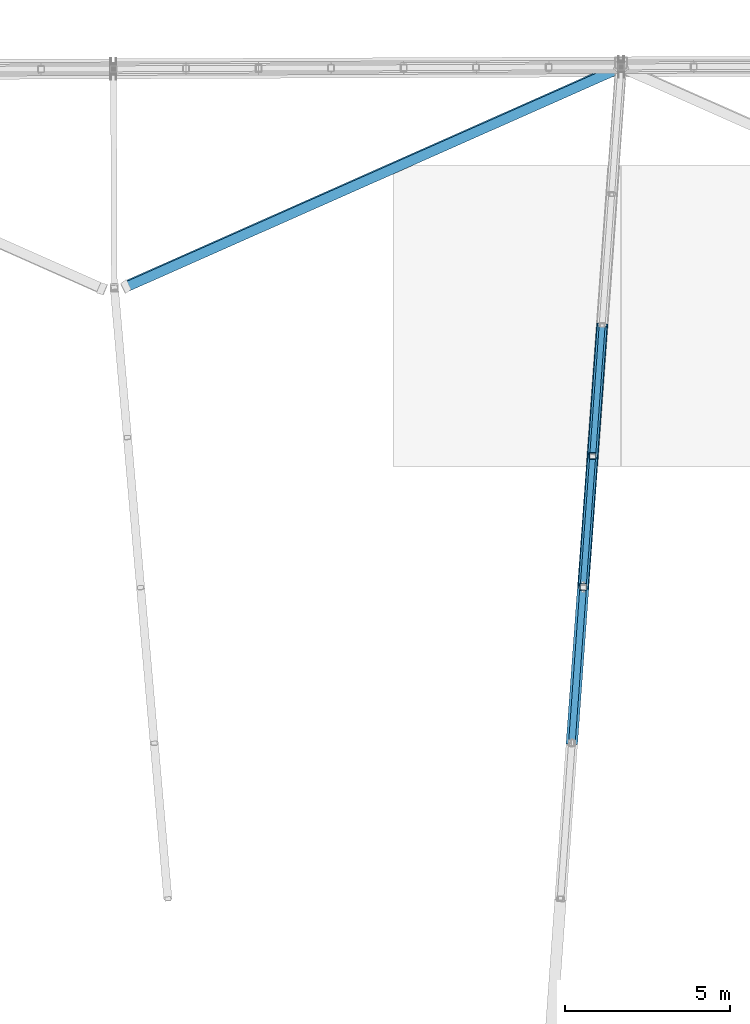
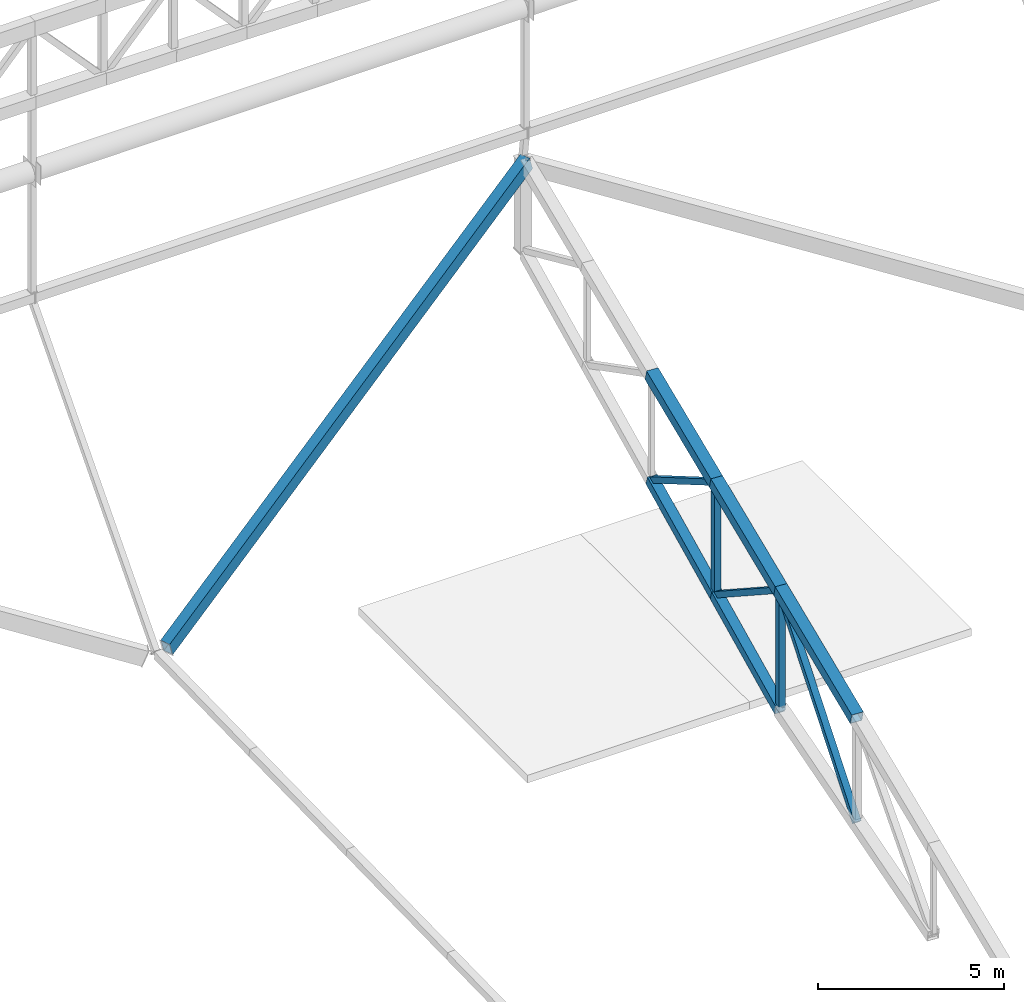
# One storey, part 86 of 188: 10 members, 1 beam.
"""IFC4 building model written with IfcOpenShell, lengths in metres."""

from ifc_helpers import new_model, si_unit, direction, frame, origin, origin_2d, place, context, subcontext, project, spatial, hollow_rectangle, extrude, material, material_profile, profile_set, type_object, element, save


model = new_model("IFC4")

# Units and contexts
model_context = context("Model", 3, precision=1e-05, world=origin(), true_north=direction((0.0, 1.0)))
body_context = subcontext(model_context, "Body", "Model", "MODEL_VIEW")
ifc_project = project(units=[si_unit("LENGTHUNIT", "METRE"), si_unit("AREAUNIT", "SQUARE_METRE"), si_unit("VOLUMEUNIT", "CUBIC_METRE"), si_unit("PLANEANGLEUNIT", "RADIAN"), si_unit("MASSUNIT", "GRAM", prefix="KILO")], contexts=[model_context])

# Site, building, storey
site_placement = place(None, origin())
site = spatial("IfcSite", under=ifc_project, at=site_placement, CompositionType="ELEMENT")
building_placement = place(site_placement, origin())
building = spatial("IfcBuilding", under=site, at=building_placement, Name="Meseta Stadium", CompositionType="ELEMENT")
storey_placement = place(building_placement, frame((0.0, 0.0, 30.0)))
storey = spatial("IfcBuildingStorey", under=building, at=storey_placement, Name="ROOF", CompositionType="ELEMENT", Elevation=30.0)

# Beam
ifc_material_1 = material(Name="Steel S355", Category="steel")
ifc_material_profile_1 = material_profile(ifc_material_1, hollow_rectangle(XDim=0.300048828125, YDim=0.5, WallThickness=0.01611328125, at=origin_2d()), Name="RHS 500x300x16")
ifc_profile_set_1 = profile_set([ifc_material_profile_1], Name="Steel S355")
beam_type = type_object("IfcBeamType", Name="RHS 500x300x16 rim ring beam", PredefinedType="BEAM", material=ifc_profile_set_1)
beam_placement = place(storey_placement, frame((7.72900390625, 105.309326171875, 10.404296875), z_axis=(-0.847168236299, -0.375703326713, -0.375703326713), x_axis=(0.430046764316, -0.900120893881, -0.069585608424)))
element("IfcBeam", 1, at=beam_placement, inside=storey, type_object=beam_type, Name="RIM RING BEAM 19", PredefinedType="BEAM", context=body_context, shape_type="SweptSolid", body=[
    extrude(hollow_rectangle(XDim=0.300048828125, YDim=0.5, WallThickness=0.01611328125, at=origin_2d()), origin(), (0.0, 0.0, 1.0), 17.75439453125),
])

# Members
ifc_material_2 = material(Name="Steel S355", Category="steel")
ifc_material_profile_2 = material_profile(ifc_material_2, hollow_rectangle(XDim=0.179931640625, YDim=0.179931640625, WallThickness=0.00634765625, at=origin_2d()), Name="SHS 180x180x6.3")
ifc_profile_set_2 = profile_set([ifc_material_profile_2], Name="Steel S355")
member_type_1 = type_object("IfcMemberType", Name="SHS 180x180x6.3 diagonal", PredefinedType="BRACE", material=ifc_profile_set_2)
member_1_placement = place(storey_placement, frame((6.51708984375, 89.54638671875, 6.314697265625), z_axis=(0.06008743732, 0.82876759342, -0.556357597209), x_axis=(-0.997382035302, 0.072312347884, 0.0)))
element("IfcMember", 2, at=member_1_placement, inside=storey, type_object=member_type_1, Name="ROOF TRUSS RT-18 diagonal", PredefinedType="BRACE", context=body_context, shape_type="SweptSolid", body=[
    extrude(hollow_rectangle(XDim=0.179931640625, YDim=0.179931640625, WallThickness=0.00634765625, at=origin_2d()), origin(), (0.0, 0.0, 1.0), 4.7822265625),
])
member_2_placement = place(storey_placement, frame((6.804443359375, 93.509765625, 7.357666015625), z_axis=(0.061717685517, 0.851253106785, -0.521113303883), x_axis=(-0.997382035302, 0.072312347884, 0.0)))
element("IfcMember", 3, at=member_2_placement, inside=storey, type_object=member_type_1, Name="ROOF TRUSS RT-18 diagonal", PredefinedType="BRACE", context=body_context, shape_type="SweptSolid", body=[
    extrude(hollow_rectangle(XDim=0.179931640625, YDim=0.179931640625, WallThickness=0.00634765625, at=origin_2d()), origin(), (0.0, 0.0, 1.0), 4.656005859375),
])
ifc_material_3 = material(Name="Steel S355", Category="steel")
ifc_material_profile_3 = material_profile(ifc_material_3, hollow_rectangle(XDim=0.199951171875, YDim=0.199951171875, WallThickness=0.008056640625, at=origin_2d()), Name="SHS 200x200x8")
ifc_profile_set_3 = profile_set([ifc_material_profile_3], Name="Steel S355")
member_type_2 = type_object("IfcMemberType", Name="SHS 200x200x8 diagonal", PredefinedType="BRACE", material=ifc_profile_set_3)
member_3_placement = place(storey_placement, frame((6.17529296875, 84.83349609375, 1.644287109375), z_axis=(0.05144551563, 0.709360166939, 0.702966224282), x_axis=(-0.997380476022, 0.072333851348, 0.0)))
element("IfcMember", 4, at=member_3_placement, inside=storey, type_object=member_type_2, Name="ROOF TRUSS RT-18 diagonal", PredefinedType="BRACE", context=body_context, shape_type="SweptSolid", body=[
    extrude(hollow_rectangle(XDim=0.199951171875, YDim=0.199951171875, WallThickness=0.008056640625, at=origin_2d()), origin(), (0.0, 0.0, 1.0), 6.643798828125),
])
ifc_material_4 = material(Name="Steel S355", Category="steel")
ifc_material_profile_4 = material_profile(ifc_material_4, hollow_rectangle(XDim=0.199951171875, YDim=0.199951171875, WallThickness=0.008056640625, at=origin_2d()), Name="SHS 200x200x8")
ifc_profile_set_4 = profile_set([ifc_material_profile_4], Name="Steel S355")
member_type_3 = type_object("IfcMemberType", Name="SHS 200x200x8 post", PredefinedType="POST", material=ifc_profile_set_4)
member_4_placement = place(storey_placement, frame((6.51708984375, 89.54638671875, 2.376953125), z_axis=(0.0, 0.0, 1.0), x_axis=(1.0, 0.0, 0.0)))
element("IfcMember", 5, at=member_4_placement, inside=storey, type_object=member_type_3, Name="ROOF TRUSS RT-18 post", PredefinedType="POST", context=body_context, shape_type="SweptSolid", body=[
    extrude(hollow_rectangle(XDim=0.199951171875, YDim=0.199951171875, WallThickness=0.008056640625, at=origin_2d()), origin(), (0.0, 0.0, 1.0), 3.937744140625),
])
member_5_placement = place(storey_placement, frame((6.804443359375, 93.509765625, 3.654052734375), z_axis=(0.0, 0.0, 1.0), x_axis=(1.0, 0.0, 0.0)))
element("IfcMember", 6, at=member_5_placement, inside=storey, type_object=member_type_3, Name="ROOF TRUSS RT-18 post", PredefinedType="POST", context=body_context, shape_type="SweptSolid", body=[
    extrude(hollow_rectangle(XDim=0.199951171875, YDim=0.199951171875, WallThickness=0.008056640625, at=origin_2d()), origin(), (0.0, 0.0, 1.0), 3.70361328125),
])
ifc_material_5 = material(Name="Steel S355", Category="steel")
ifc_material_profile_5 = material_profile(ifc_material_5, hollow_rectangle(XDim=0.300048828125, YDim=0.300048828125, WallThickness=0.010009765625, at=origin_2d()), Name="SHS 300x300x10")
ifc_profile_set_5 = profile_set([ifc_material_profile_5], Name="Steel S355")
member_type_4 = type_object("IfcMemberType", Name="SHS 300x300x10 bottom chord", PredefinedType="CHORD", material=ifc_profile_set_5)
for number, where, z_axis, x_axis, name in (
    (7, (6.51708984375, 89.54638671875, 2.376953125), (0.068844366818, 0.949549236129, 0.305968464592), (-0.997382035302, 0.072312347884, 0.0), "ROOF TRUSS RT-18 bottom chord"),
    (8, (6.804443359375, 93.509765625, 3.654052734375), (0.068843134659, 0.949532241333, 0.306021478789), (-0.997382035302, 0.072312347884, 0.0), "ROOF TRUSS RT-18 bottom chord"),
):
    element("IfcMember", number, at=place(storey_placement, frame(where, z_axis=z_axis, x_axis=x_axis)), inside=storey, type_object=member_type_4, Name=name, PredefinedType="CHORD", context=body_context, shape_type="SweptSolid", body=[
        extrude(hollow_rectangle(XDim=0.300048828125, YDim=0.300048828125, WallThickness=0.010009765625, at=origin_2d()), origin(), (0.0, 0.0, 1.0), 4.174072265625),
    ])
ifc_material_6 = material(Name="Steel S355", Category="steel")
ifc_material_profile_6 = material_profile(ifc_material_6, hollow_rectangle(XDim=0.35009765625, YDim=0.35009765625, WallThickness=0.010009765625, at=origin_2d()), Name="SHS 350x350x10")
ifc_profile_set_6 = profile_set([ifc_material_profile_6], Name="Steel S355")
member_type_5 = type_object("IfcMemberType", Name="SHS 350x350x10 top chord", PredefinedType="CHORD", material=ifc_profile_set_6)
member_6_placement = place(storey_placement, frame((6.804443359375, 93.509765625, 7.357666015625), z_axis=(0.069944441371, 0.964722227037, 0.253808588867), x_axis=(-0.997382035302, 0.072312347884, 0.0)))
element("IfcMember", 9, at=member_6_placement, inside=storey, type_object=member_type_5, Name="ROOF TRUSS RT-18 top chord", PredefinedType="CHORD", context=body_context, shape_type="SweptSolid", body=[
    extrude(hollow_rectangle(XDim=0.35009765625, YDim=0.35009765625, WallThickness=0.010009765625, at=origin_2d()), origin(), (0.0, 0.0, 1.0), 4.1083984375),
])
ifc_material_7 = material(Name="Steel S355", Category="steel")
ifc_material_profile_7 = material_profile(ifc_material_7, hollow_rectangle(XDim=0.35009765625, YDim=0.35009765625, WallThickness=0.01416015625, at=origin_2d()), Name="SHS 350x350x14.2")
ifc_profile_set_7 = profile_set([ifc_material_profile_7], Name="Steel S355")
member_type_6 = type_object("IfcMemberType", Name="SHS 350x350x14.2 top chord", PredefinedType="CHORD", material=ifc_profile_set_7)
member_7_placement = place(storey_placement, frame((6.17529296875, 84.83349609375, 5.07470703125), z_axis=(0.069964968827, 0.964716970167, 0.253822911908), x_axis=(-0.997380476022, 0.072333851348, 0.0)))
element("IfcMember", 10, at=member_7_placement, inside=storey, type_object=member_type_6, Name="ROOF TRUSS RT-18 top chord", PredefinedType="CHORD", context=body_context, shape_type="SweptSolid", body=[
    extrude(hollow_rectangle(XDim=0.35009765625, YDim=0.35009765625, WallThickness=0.01416015625, at=origin_2d()), origin(), (0.0, 0.0, 1.0), 4.88525390625),
])
member_8_placement = place(storey_placement, frame((6.51708984375, 89.54638671875, 6.314697265625), z_axis=(0.069943386311, 0.964707674914, 0.253864185489), x_axis=(-0.997382035302, 0.072312347884, 0.0)))
element("IfcMember", 11, at=member_8_placement, inside=storey, type_object=member_type_6, Name="ROOF TRUSS RT-18 top chord", PredefinedType="CHORD", context=body_context, shape_type="SweptSolid", body=[
    extrude(hollow_rectangle(XDim=0.35009765625, YDim=0.35009765625, WallThickness=0.01416015625, at=origin_2d()), origin(), (0.0, 0.0, 1.0), 4.1083984375),
])

save(model, "model.ifc")
